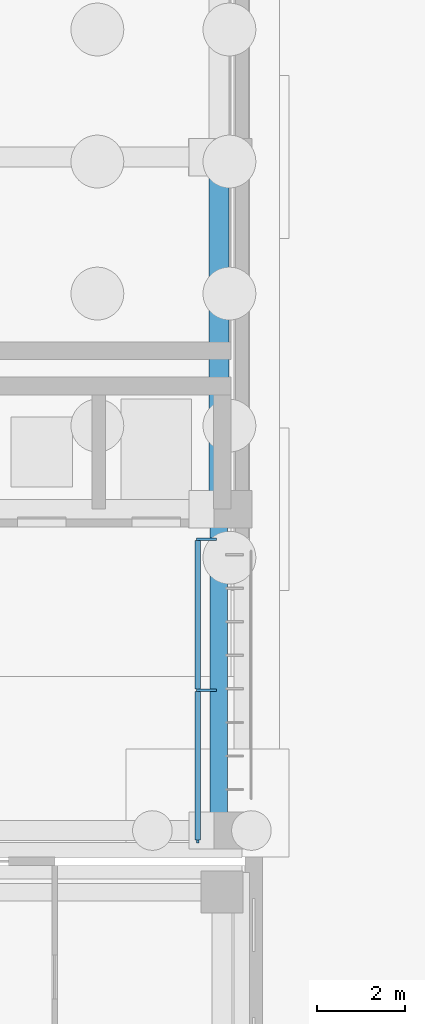
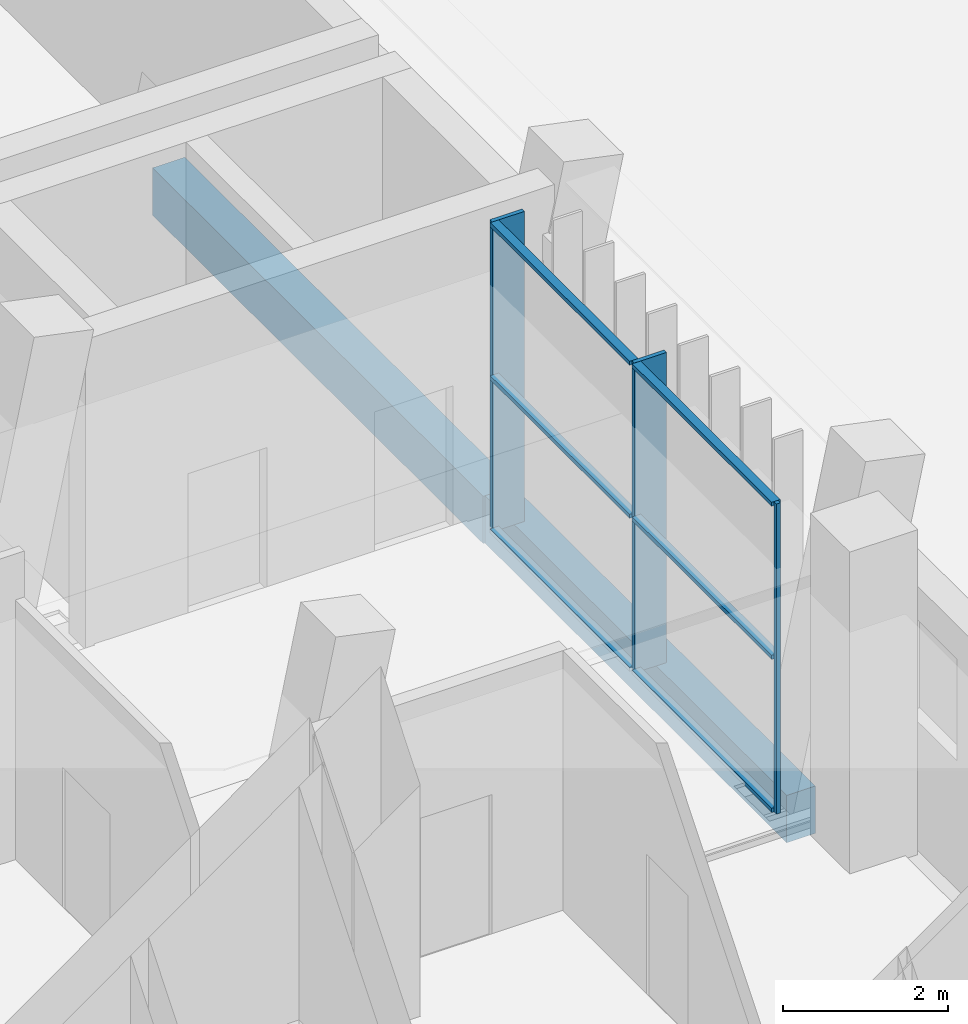
# One storey, part 76 of 144: 9 members, 2 beams, 1 element without a shape of its own.
"""IFC4 building model written with IfcOpenShell, lengths in metres."""

from ifc_helpers import new_model, si_unit, direction, frame, origin, origin_2d, place, context, subcontext, project, spatial, rectangle, extrude, material, material_profile, profile_set, type_object, element, aggregate, save


model = new_model("IFC4")

# Units and contexts
model_context = context("Model", 3, precision=1e-05, world=origin(), true_north=direction((0.0, 1.0)))
body_context = subcontext(model_context, "Body", "Model", "MODEL_VIEW")
ifc_project = project(units=[si_unit("LENGTHUNIT", "METRE"), si_unit("AREAUNIT", "SQUARE_METRE"), si_unit("VOLUMEUNIT", "CUBIC_METRE"), si_unit("PLANEANGLEUNIT", "RADIAN"), si_unit("MASSUNIT", "GRAM", prefix="KILO")], contexts=[model_context])

# Site, building, storey
site_placement = place(None, origin())
site = spatial("IfcSite", under=ifc_project, at=site_placement, CompositionType="ELEMENT")
building_placement = place(site_placement, origin())
building = spatial("IfcBuilding", under=site, at=building_placement, Name="Lantern Court Media Centre", CompositionType="ELEMENT")
storey_placement = place(building_placement, origin())
storey = spatial("IfcBuildingStorey", under=building, at=storey_placement, Name="L00", CompositionType="ELEMENT", Elevation=0.0)

# Curtain wall, members
ifc_material_1 = material(Name="Curtain wall bay 3000")
curtain_wall_type = type_object("IfcCurtainWallType", Name="Curtain wall bay 3000", PredefinedType="NOTDEFINED", material=ifc_material_1)
curtain_wall_placement = place(storey_placement, origin())
curtain_wall = element("IfcCurtainWall", 1, at=curtain_wall_placement, inside=storey, type_object=curtain_wall_type, Name="Curtain wall E outer L00", PredefinedType="NOTDEFINED")
ifc_material_2 = material(Name="Anodised aluminium", Category="aluminium")
ifc_material_profile_1 = material_profile(ifc_material_2, rectangle(XDim=0.449951171875, YDim=0.06005859375, at=origin_2d()), Name="AL 60x450")
ifc_profile_set_1 = profile_set([ifc_material_profile_1], Name="Anodised aluminium")
member_type_1 = type_object("IfcMemberType", Name="Curtain wall mullion 60x450", PredefinedType="MULLION", material=ifc_profile_set_1)
member_1_placement = place(storey_placement, frame((95.044921875, 67.885009765625, 0.0), z_axis=(0.0, 0.0, 1.0), x_axis=(-1.0, 0.0, 0.0)))
member_1 = element("IfcMember", 2, at=member_1_placement, type_object=member_type_1, Name="CW1 mullion 2", PredefinedType="MULLION", context=body_context, shape_type="SweptSolid", body=[
    extrude(rectangle(XDim=0.449951171875, YDim=0.06005859375, at=origin_2d()), origin(), (0.0, 0.0, 1.0), 4.580078125),
])
member_2_placement = place(storey_placement, frame((95.044921875, 71.320068359375, 0.0), z_axis=(0.0, 0.0, 1.0), x_axis=(-1.0, 0.0, 0.0)))
member_2 = element("IfcMember", 3, at=member_2_placement, type_object=member_type_1, Name="CW1 mullion 3", PredefinedType="MULLION", context=body_context, shape_type="SweptSolid", body=[
    extrude(rectangle(XDim=0.449951171875, YDim=0.06005859375, at=origin_2d()), origin(), (0.0, 0.0, 1.0), 4.580078125),
])
ifc_material_profile_2 = material_profile(ifc_material_2, rectangle(XDim=0.06005859375, YDim=0.06005859375, at=origin_2d()), Name="AL 60x60")
ifc_profile_set_2 = profile_set([ifc_material_profile_2], Name="Anodised aluminium")
member_type_2 = type_object("IfcMemberType", Name="Curtain wall mullion 60x60", PredefinedType="MULLION", material=ifc_profile_set_2)
member_3_placement = place(storey_placement, frame((94.85009765625, 64.449951171875, 0.0), z_axis=(0.0, 0.0, 1.0), x_axis=(-1.0, 0.0, 0.0)))
member_3 = element("IfcMember", 4, at=member_3_placement, type_object=member_type_2, Name="CW1 mullion 1", PredefinedType="MULLION", context=body_context, shape_type="SweptSolid", body=[
    extrude(rectangle(XDim=0.06005859375, YDim=0.06005859375, at=origin_2d()), origin(), (0.0, 0.0, 1.0), 4.580078125),
])
ifc_material_profile_3 = material_profile(ifc_material_2, rectangle(XDim=0.1201171875, YDim=0.06005859375, at=origin_2d()), Name="AL 60x120")
ifc_profile_set_3 = profile_set([ifc_material_profile_3], Name="Anodised aluminium")
member_type_3 = type_object("IfcMemberType", Name="Curtain wall transom 60x120", PredefinedType="USERDEFINED", material=ifc_profile_set_3)
member_4_placement = place(storey_placement, frame((94.85009765625, 64.47998046875, 0.030029296875), z_axis=(0.0, 1.0, 0.0), x_axis=(-1.0, 0.0, 0.0)))
member_4 = element("IfcMember", 5, at=member_4_placement, type_object=member_type_3, Name="CW1 transom 1.1", ObjectType="TRANSOM", PredefinedType="USERDEFINED", context=body_context, shape_type="SweptSolid", body=[
    extrude(rectangle(XDim=0.1201171875, YDim=0.06005859375, at=origin_2d()), origin(), (0.0, 0.0, 1.0), 3.375),
])
member_5_placement = place(storey_placement, frame((94.85009765625, 64.47998046875, 2.2900390625), z_axis=(0.0, 1.0, 0.0), x_axis=(-1.0, 0.0, 0.0)))
member_5 = element("IfcMember", 6, at=member_5_placement, type_object=member_type_3, Name="CW1 transom 1.2", ObjectType="TRANSOM", PredefinedType="USERDEFINED", context=body_context, shape_type="SweptSolid", body=[
    extrude(rectangle(XDim=0.1201171875, YDim=0.06005859375, at=origin_2d()), origin(), (0.0, 0.0, 1.0), 3.375),
])
member_6_placement = place(storey_placement, frame((94.85009765625, 64.47998046875, 4.550048828125), z_axis=(0.0, 1.0, 0.0), x_axis=(-1.0, 0.0, 0.0)))
member_6 = element("IfcMember", 7, at=member_6_placement, type_object=member_type_3, Name="CW1 transom 1.3", ObjectType="TRANSOM", PredefinedType="USERDEFINED", context=body_context, shape_type="SweptSolid", body=[
    extrude(rectangle(XDim=0.1201171875, YDim=0.06005859375, at=origin_2d()), origin(), (0.0, 0.0, 1.0), 3.375),
])
member_7_placement = place(storey_placement, frame((94.85009765625, 67.9150390625, 0.030029296875), z_axis=(0.0, 1.0, 0.0), x_axis=(-1.0, 0.0, 0.0)))
member_7 = element("IfcMember", 8, at=member_7_placement, type_object=member_type_3, Name="CW1 transom 2.1", ObjectType="TRANSOM", PredefinedType="USERDEFINED", context=body_context, shape_type="SweptSolid", body=[
    extrude(rectangle(XDim=0.1201171875, YDim=0.06005859375, at=origin_2d()), origin(), (0.0, 0.0, 1.0), 3.375),
])
member_8_placement = place(storey_placement, frame((94.85009765625, 67.9150390625, 2.2900390625), z_axis=(0.0, 1.0, 0.0), x_axis=(-1.0, 0.0, 0.0)))
member_8 = element("IfcMember", 9, at=member_8_placement, type_object=member_type_3, Name="CW1 transom 2.2", ObjectType="TRANSOM", PredefinedType="USERDEFINED", context=body_context, shape_type="SweptSolid", body=[
    extrude(rectangle(XDim=0.1201171875, YDim=0.06005859375, at=origin_2d()), origin(), (0.0, 0.0, 1.0), 3.375),
])
member_9_placement = place(storey_placement, frame((94.85009765625, 67.9150390625, 4.550048828125), z_axis=(0.0, 1.0, 0.0), x_axis=(-1.0, 0.0, 0.0)))
member_9 = element("IfcMember", 10, at=member_9_placement, type_object=member_type_3, Name="CW1 transom 2.3", ObjectType="TRANSOM", PredefinedType="USERDEFINED", context=body_context, shape_type="SweptSolid", body=[
    extrude(rectangle(XDim=0.1201171875, YDim=0.06005859375, at=origin_2d()), origin(), (0.0, 0.0, 1.0), 3.375),
])
aggregate(curtain_wall, [member_3, member_1, member_2, member_4, member_5, member_6, member_7, member_8, member_9])

# Beams
ifc_material_3 = material(Name="Concrete C35", Category="concrete")
ifc_material_profile_4 = material_profile(ifc_material_3, rectangle(XDim=0.39990234375, YDim=0.699951171875, at=origin_2d()), Name="RC 400x700")
ifc_profile_set_4 = profile_set([ifc_material_profile_4], Name="Concrete C35")
beam_type_1 = type_object("IfcBeamType", Name="RC BEAM 400x700", PredefinedType="BEAM", material=ifc_profile_set_4)
beam_1_placement = place(storey_placement, frame((95.3271484375, 64.699951171875, -0.35009765625), z_axis=(0.0, 1.0, 0.0), x_axis=(-1.0, 0.0, 0.0)))
element("IfcBeam", 11, at=beam_1_placement, inside=storey, type_object=beam_type_1, Name="LB-E-L00-2-0", PredefinedType="BEAM", context=body_context, shape_type="SweptSolid", body=[
    extrude(rectangle(XDim=0.39990234375, YDim=0.699951171875, at=origin_2d()), origin(), (0.0, 0.0, 1.0), 7.300048828125),
])
ifc_material_profile_5 = material_profile(ifc_material_3, rectangle(XDim=0.449951171875, YDim=0.699951171875, at=origin_2d()), Name="RC 450x700")
ifc_profile_set_5 = profile_set([ifc_material_profile_5], Name="Concrete C35")
beam_type_2 = type_object("IfcBeamType", Name="RC BEAM 450x700", PredefinedType="BEAM", material=ifc_profile_set_5)
beam_2_placement = place(storey_placement, frame((95.3271484375, 72.0, -0.35009765625), z_axis=(0.0, 1.0, 0.0), x_axis=(-1.0, 0.0, 0.0)))
element("IfcBeam", 12, at=beam_2_placement, inside=storey, type_object=beam_type_2, Name="LB-E-L00-2-1", PredefinedType="BEAM", context=body_context, shape_type="SweptSolid", body=[
    extrude(rectangle(XDim=0.449951171875, YDim=0.699951171875, at=origin_2d()), origin(), (0.0, 0.0, 1.0), 8.0),
])

save(model, "model.ifc")
